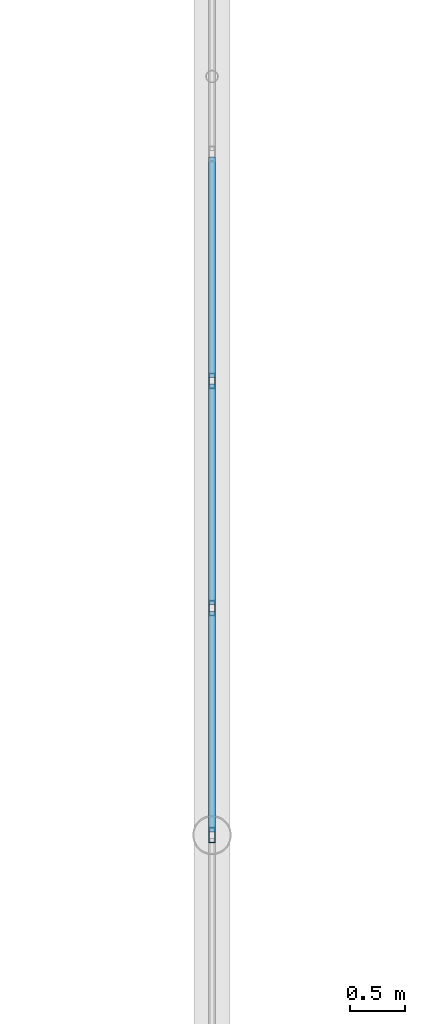
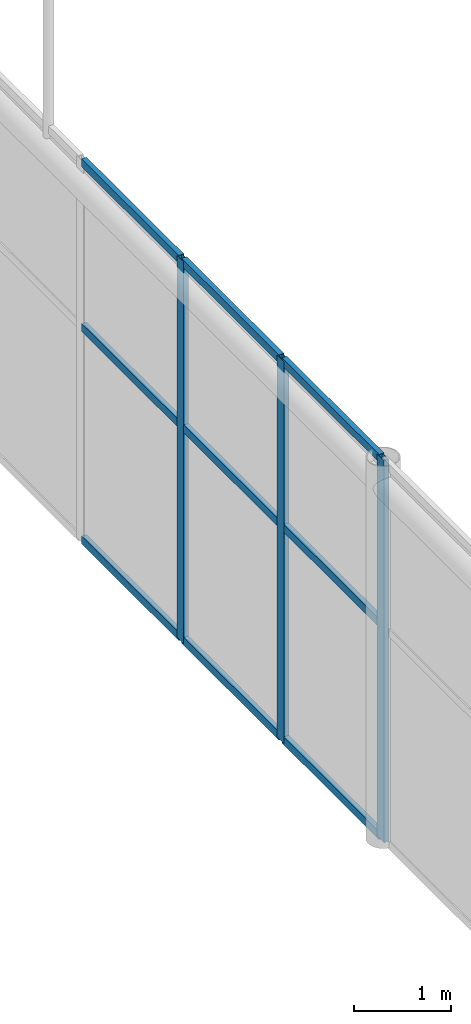
# One storey, part 112 of 167: 12 members, 1 element without a shape of its own.
"""IFC4 building model written with IfcOpenShell, lengths in metres."""

from ifc_helpers import new_model, si_unit, direction, frame, origin, origin_2d, place, context, subcontext, project, spatial, hollow_rectangle, extrude, material, material_profile, profile_set, type_object, element, aggregate, save


model = new_model("IFC4")

# Units and contexts
model_context = context("Model", 3, precision=1e-05, world=origin(), true_north=direction((0.0, 1.0)))
body_context = subcontext(model_context, "Body", "Model", "MODEL_VIEW")
ifc_project = project(units=[si_unit("LENGTHUNIT", "METRE"), si_unit("AREAUNIT", "SQUARE_METRE"), si_unit("VOLUMEUNIT", "CUBIC_METRE"), si_unit("PLANEANGLEUNIT", "RADIAN"), si_unit("MASSUNIT", "GRAM", prefix="KILO")], contexts=[model_context])

# Site, building, storey
site_placement = place(None, origin())
site = spatial("IfcSite", under=ifc_project, at=site_placement, CompositionType="ELEMENT")
building_placement = place(site_placement, origin())
building = spatial("IfcBuilding", under=site, at=building_placement, Name="Catenary Quay Ferry Terminal", CompositionType="ELEMENT")
storey_placement = place(building_placement, frame((0.0, 0.0, 6.0)))
storey = spatial("IfcBuildingStorey", under=building, at=storey_placement, Name="L01", CompositionType="ELEMENT", Elevation=6.0)

# Curtain wall, members
ifc_material_1 = material(Name="Aluminium and glass", Category="aluminium")
curtain_wall_type = type_object("IfcCurtainWallType", Name="CWG", PredefinedType="NOTDEFINED", material=ifc_material_1)
curtain_wall_placement = place(storey_placement, origin())
curtain_wall = element("IfcCurtainWall", 1, at=curtain_wall_placement, inside=storey, type_object=curtain_wall_type, Name="Gable departure hall curtain wall CW20", PredefinedType="NOTDEFINED")
ifc_material_2 = material(Name="Aluminium", Category="aluminium")
ifc_material_profile_1 = material_profile(ifc_material_2, hollow_rectangle(XDim=0.06005859375, YDim=0.139892578125, WallThickness=0.006103515625, at=origin_2d()), Name="MU2")
ifc_profile_set_1 = profile_set([ifc_material_profile_1], Name="Aluminium")
member_type_1 = type_object("IfcMemberType", Name="MU2", PredefinedType="MULLION", material=ifc_profile_set_1)
member_1_placement = place(storey_placement, frame((92.39990234375, 126.0, 0.0), z_axis=(0.0, 0.0, 1.0), x_axis=(-1.0, 0.0, 0.0)))
member_1 = element("IfcMember", 2, at=member_1_placement, type_object=member_type_1, Name="CW20 mullion 9", PredefinedType="MULLION", context=body_context, shape_type="SweptSolid", body=[
    extrude(hollow_rectangle(XDim=0.06005859375, YDim=0.139892578125, WallThickness=0.006103515625, at=origin_2d()), origin(), (0.0, 0.0, 1.0), 4.800048828125),
])
member_2_placement = place(storey_placement, frame((92.39990234375, 128.0625, 0.0), z_axis=(0.0, 0.0, 1.0), x_axis=(-1.0, 0.0, 0.0)))
member_2 = element("IfcMember", 3, at=member_2_placement, type_object=member_type_1, Name="CW20 mullion 10", PredefinedType="MULLION", context=body_context, shape_type="SweptSolid", body=[
    extrude(hollow_rectangle(XDim=0.06005859375, YDim=0.139892578125, WallThickness=0.006103515625, at=origin_2d()), origin(), (0.0, 0.0, 1.0), 4.800048828125),
])
member_3_placement = place(storey_placement, frame((92.39990234375, 130.125, 0.0), z_axis=(0.0, 0.0, 1.0), x_axis=(-1.0, 0.0, 0.0)))
member_3 = element("IfcMember", 4, at=member_3_placement, type_object=member_type_1, Name="CW20 mullion 11", PredefinedType="MULLION", context=body_context, shape_type="SweptSolid", body=[
    extrude(hollow_rectangle(XDim=0.06005859375, YDim=0.139892578125, WallThickness=0.006103515625, at=origin_2d()), origin(), (0.0, 0.0, 1.0), 4.800048828125),
])
ifc_material_3 = material(Name="Aluminium", Category="aluminium")
ifc_material_profile_2 = material_profile(ifc_material_3, hollow_rectangle(XDim=0.06005859375, YDim=0.10009765625, WallThickness=0.0048828125, at=origin_2d()), Name="TR2")
ifc_profile_set_2 = profile_set([ifc_material_profile_2], Name="Aluminium")
member_type_2 = type_object("IfcMemberType", Name="TR2", PredefinedType="USERDEFINED", material=ifc_profile_set_2)
member_4_placement = place(storey_placement, frame((92.39990234375, 126.030029296875, 0.030029296875), z_axis=(0.0, 1.0, 0.0), x_axis=(-1.0, 0.0, 0.0)))
member_4 = element("IfcMember", 5, at=member_4_placement, type_object=member_type_2, Name="CW20 transom 9.1", ObjectType="TRANSOM", PredefinedType="USERDEFINED", context=body_context, shape_type="SweptSolid", body=[
    extrude(hollow_rectangle(XDim=0.06005859375, YDim=0.10009765625, WallThickness=0.0048828125, at=origin_2d()), origin(), (0.0, 0.0, 1.0), 2.00244140625),
])
member_5_placement = place(storey_placement, frame((92.39990234375, 126.030029296875, 2.699951171875), z_axis=(0.0, 1.0, 0.0), x_axis=(-1.0, 0.0, 0.0)))
member_5 = element("IfcMember", 6, at=member_5_placement, type_object=member_type_2, Name="CW20 transom 9.2", ObjectType="TRANSOM", PredefinedType="USERDEFINED", context=body_context, shape_type="SweptSolid", body=[
    extrude(hollow_rectangle(XDim=0.06005859375, YDim=0.10009765625, WallThickness=0.0048828125, at=origin_2d()), origin(), (0.0, 0.0, 1.0), 2.00244140625),
])
member_6_placement = place(storey_placement, frame((92.39990234375, 126.030029296875, 4.77001953125), z_axis=(0.0, 1.0, 0.0), x_axis=(-1.0, 0.0, 0.0)))
member_6 = element("IfcMember", 7, at=member_6_placement, type_object=member_type_2, Name="CW20 transom 9.3", ObjectType="TRANSOM", PredefinedType="USERDEFINED", context=body_context, shape_type="SweptSolid", body=[
    extrude(hollow_rectangle(XDim=0.06005859375, YDim=0.10009765625, WallThickness=0.0048828125, at=origin_2d()), origin(), (0.0, 0.0, 1.0), 2.00244140625),
])
member_7_placement = place(storey_placement, frame((92.39990234375, 128.092529296875, 0.030029296875), z_axis=(0.0, 1.0, 0.0), x_axis=(-1.0, 0.0, 0.0)))
member_7 = element("IfcMember", 8, at=member_7_placement, type_object=member_type_2, Name="CW20 transom 10.1", ObjectType="TRANSOM", PredefinedType="USERDEFINED", context=body_context, shape_type="SweptSolid", body=[
    extrude(hollow_rectangle(XDim=0.06005859375, YDim=0.10009765625, WallThickness=0.0048828125, at=origin_2d()), origin(), (0.0, 0.0, 1.0), 2.00244140625),
])
member_8_placement = place(storey_placement, frame((92.39990234375, 128.092529296875, 2.699951171875), z_axis=(0.0, 1.0, 0.0), x_axis=(-1.0, 0.0, 0.0)))
member_8 = element("IfcMember", 9, at=member_8_placement, type_object=member_type_2, Name="CW20 transom 10.2", ObjectType="TRANSOM", PredefinedType="USERDEFINED", context=body_context, shape_type="SweptSolid", body=[
    extrude(hollow_rectangle(XDim=0.06005859375, YDim=0.10009765625, WallThickness=0.0048828125, at=origin_2d()), origin(), (0.0, 0.0, 1.0), 2.00244140625),
])
member_9_placement = place(storey_placement, frame((92.39990234375, 128.092529296875, 4.77001953125), z_axis=(0.0, 1.0, 0.0), x_axis=(-1.0, 0.0, 0.0)))
member_9 = element("IfcMember", 10, at=member_9_placement, type_object=member_type_2, Name="CW20 transom 10.3", ObjectType="TRANSOM", PredefinedType="USERDEFINED", context=body_context, shape_type="SweptSolid", body=[
    extrude(hollow_rectangle(XDim=0.06005859375, YDim=0.10009765625, WallThickness=0.0048828125, at=origin_2d()), origin(), (0.0, 0.0, 1.0), 2.00244140625),
])
member_10_placement = place(storey_placement, frame((92.39990234375, 130.155029296875, 0.030029296875), z_axis=(0.0, 1.0, 0.0), x_axis=(-1.0, 0.0, 0.0)))
member_10 = element("IfcMember", 11, at=member_10_placement, type_object=member_type_2, Name="CW20 transom 11.1", ObjectType="TRANSOM", PredefinedType="USERDEFINED", context=body_context, shape_type="SweptSolid", body=[
    extrude(hollow_rectangle(XDim=0.06005859375, YDim=0.10009765625, WallThickness=0.0048828125, at=origin_2d()), origin(), (0.0, 0.0, 1.0), 2.00244140625),
])
member_11_placement = place(storey_placement, frame((92.39990234375, 130.155029296875, 2.699951171875), z_axis=(0.0, 1.0, 0.0), x_axis=(-1.0, 0.0, 0.0)))
member_11 = element("IfcMember", 12, at=member_11_placement, type_object=member_type_2, Name="CW20 transom 11.2", ObjectType="TRANSOM", PredefinedType="USERDEFINED", context=body_context, shape_type="SweptSolid", body=[
    extrude(hollow_rectangle(XDim=0.06005859375, YDim=0.10009765625, WallThickness=0.0048828125, at=origin_2d()), origin(), (0.0, 0.0, 1.0), 2.00244140625),
])
member_12_placement = place(storey_placement, frame((92.39990234375, 130.155029296875, 4.77001953125), z_axis=(0.0, 1.0, 0.0), x_axis=(-1.0, 0.0, 0.0)))
member_12 = element("IfcMember", 13, at=member_12_placement, type_object=member_type_2, Name="CW20 transom 11.3", ObjectType="TRANSOM", PredefinedType="USERDEFINED", context=body_context, shape_type="SweptSolid", body=[
    extrude(hollow_rectangle(XDim=0.06005859375, YDim=0.10009765625, WallThickness=0.0048828125, at=origin_2d()), origin(), (0.0, 0.0, 1.0), 2.00244140625),
])
aggregate(curtain_wall, [member_1, member_2, member_3, member_4, member_5, member_6, member_7, member_8, member_9, member_10, member_11, member_12])

save(model, "model.ifc")
